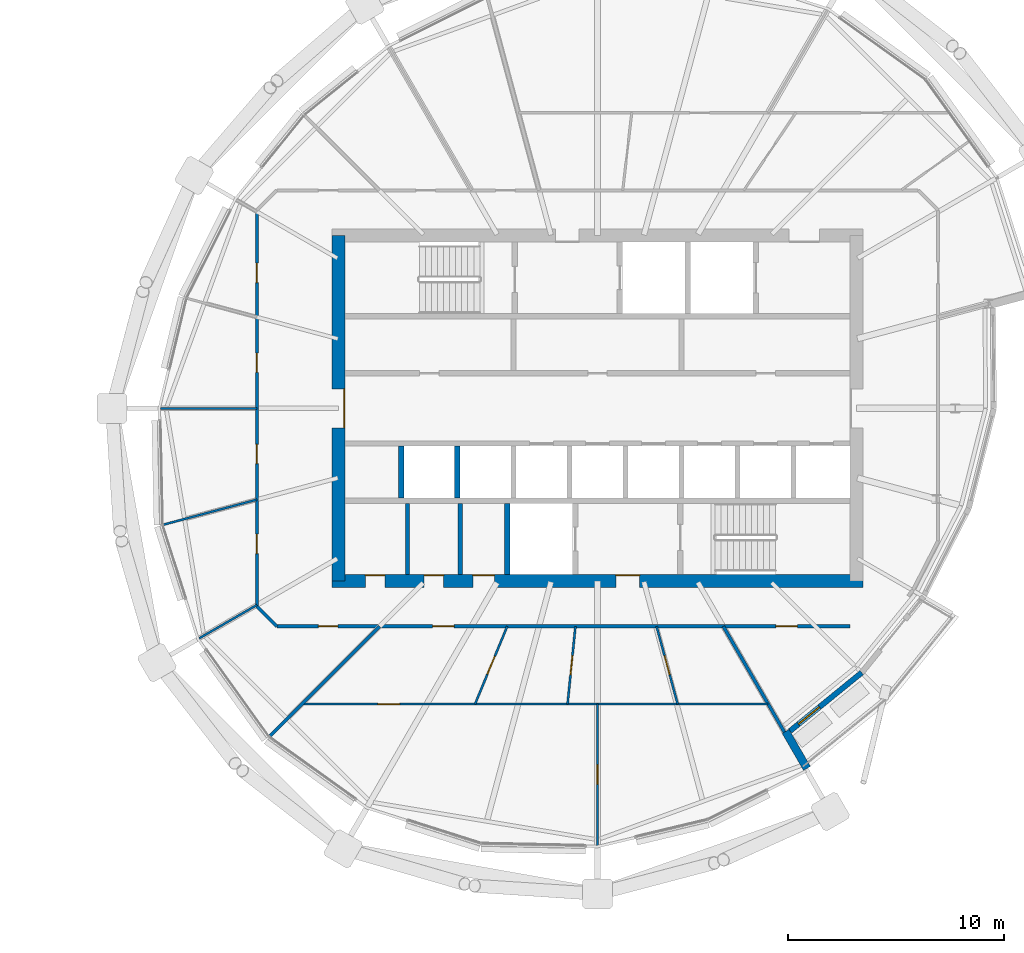
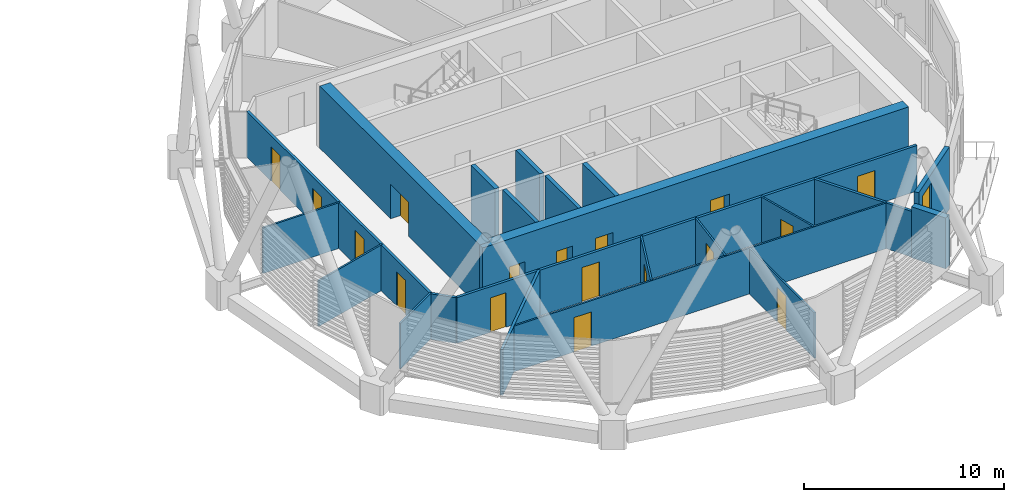
# One storey, part 25 of 36: 23 walls, 17 doors, 1 window, 18 openings.
"""IFC4 building model written with IfcOpenShell, lengths in metres."""

from ifc_helpers import new_model, si_unit, direction, frame, frame_2d, origin, place, context, subcontext, project, spatial, rectangle, extrude, material, layer, layer_set, type_object, element, fill, save


model = new_model("IFC4")

# Units and contexts
model_context = context("Model", 3, precision=1e-05, world=origin(), true_north=direction((0.0, 1.0)))
body_context = subcontext(model_context, "Body", "Model", "MODEL_VIEW")
ifc_project = project(units=[si_unit("LENGTHUNIT", "METRE"), si_unit("AREAUNIT", "SQUARE_METRE"), si_unit("VOLUMEUNIT", "CUBIC_METRE"), si_unit("PLANEANGLEUNIT", "RADIAN"), si_unit("MASSUNIT", "GRAM", prefix="KILO")], contexts=[model_context])

# Site, building, storey
site_placement = place(None, origin())
site = spatial("IfcSite", under=ifc_project, at=site_placement, CompositionType="ELEMENT")
building_placement = place(site_placement, origin())
building = spatial("IfcBuilding", under=site, at=building_placement, Name="Rimbun Link Towers", CompositionType="ELEMENT")
storey_placement = place(building_placement, frame((0.0, 0.0, 193.10009765625)))
storey = spatial("IfcBuildingStorey", under=building, at=storey_placement, Name="L47", CompositionType="ELEMENT", Elevation=193.10009765625)

# Wall, opening, window
ifc_material_1 = material(Name="Dark enamelled glass spandrel on insulated aluminium backpan", Category="aluminium")
ifc_layer_1 = layer(ifc_material_1, 0.25)
ifc_layer_set_1 = layer_set([ifc_layer_1], Name="CS dark enamelled spandrel wall 250")
wall_type_1 = type_object("IfcWallType", Name="CS dark enamelled spandrel wall 250", PredefinedType="STANDARD", material=ifc_layer_set_1)
wall_1_placement = place(storey_placement, frame((43.988037109375, -12.238037109375, 0.0), z_axis=(0.0, 0.0, 1.0), x_axis=(-0.775356930416, -0.631523262007, 0.0)))
wall_1 = element("IfcWall", 1, at=wall_1_placement, inside=storey, type_object=wall_type_1, Name="Crease spandrel wall", PredefinedType="STANDARD", context=body_context, shape_type="SweptSolid", body=[
    extrude(rectangle(XDim=4.2841796875, YDim=0.25, at=frame_2d((2.14208984375, 0.0))), origin(), (0.0, 0.0, 1.0), 3.7998046875),
])
opening_1_placement = place(wall_1_placement, frame((2.525390625, 0.0, 0.300048828125)))
opening_1 = element("IfcOpeningElement", 2, at=opening_1_placement, cuts=wall_1, Name="Opening WR12H295", PredefinedType="OPENING", context=body_context, shape_type="SweptSolid", body=[
    extrude(rectangle(XDim=1.25, YDim=2.949951171875, at=frame_2d((0.625, 1.47509765625))), frame((0.0, 0.135009765625, 0.0), z_axis=(0.0, -1.0, 0.0), x_axis=(1.0, 0.0, 0.0)), (0.0, 0.0, 1.0), 0.27001953125),
])
ifc_material_2 = material(Name="Aluminium framed fixed window, dark tinted low-e glass", Category="aluminium")
window_type = type_object("IfcWindowType", Name="WR ribbon window 1250X2950", PartitioningType="SINGLE_PANEL", PredefinedType="WINDOW", material=ifc_material_2)
window_placement = place(opening_1_placement, origin())
window = element("IfcWindow", 3, at=window_placement, inside=storey, type_object=window_type, Name="Crease ribbon window", OverallHeight=2.949951171875, OverallWidth=1.25, PartitioningType="SINGLE_PANEL", PredefinedType="WINDOW", context=body_context, shape_type="SweptSolid", body=[
    extrude(rectangle(XDim=1.25, YDim=2.949951171875, at=frame_2d((0.625, 1.47509765625))), frame((0.0, 0.030029296875, 0.0), z_axis=(0.0, -1.0, 0.0), x_axis=(1.0, 0.0, 0.0)), (0.0, 0.0, 1.0), 0.06005859375),
])
fill(opening_1, window)

# Walls
ifc_material_3 = material(Name="Dark enamelled glass spandrel on insulated aluminium backpan", Category="aluminium")
ifc_layer_2 = layer(ifc_material_3, 0.3701171875)
ifc_layer_set_2 = layer_set([ifc_layer_2], Name="CS dark enamelled spandrel wall 370")
wall_type_2 = type_object("IfcWallType", Name="CS dark enamelled spandrel wall 370", PredefinedType="STANDARD", material=ifc_layer_set_2)
wall_2_placement = place(storey_placement, frame((40.462890625, -14.961181640625, 0.0), z_axis=(0.0, 0.0, 1.0), x_axis=(0.499971491109, -0.866041862775, 0.0)))
element("IfcWall", 4, at=wall_2_placement, inside=storey, type_object=wall_type_2, Name="Crease spandrel wall", PredefinedType="STANDARD", context=body_context, shape_type="SweptSolid", body=[
    extrude(rectangle(XDim=1.97998046875, YDim=0.3701171875, at=frame_2d((0.989990234375, 0.0))), origin(), (0.0, 0.0, 1.0), 3.10693359375),
])
ifc_material_4 = material(Name="Masonry blockwork", Category="masonry")
ifc_layer_3 = layer(ifc_material_4, 0.199951171875)
ifc_layer_set_3 = layer_set([ifc_layer_3], Name="Core partition 200")
wall_type_3 = type_object("IfcWallType", Name="Core partition 200", PredefinedType="PARTITIONING", material=ifc_layer_set_3)
for number, where, z_axis, x_axis, name in (
    (5, (22.949951171875, -4.39990234375, 0.0), (0.0, 0.0, 1.0), (0.0, -1.0, 0.0), "L47 T2 core wall C1"),
    (6, (25.39990234375, -4.39990234375, 0.0), (0.0, 0.0, 1.0), (0.0, -1.0, 0.0), "L47 T2 core wall C2"),
):
    element("IfcWall", number, at=place(storey_placement, frame(where, z_axis=z_axis, x_axis=x_axis)), inside=storey, type_object=wall_type_3, Name=name, PredefinedType="PARTITIONING", context=body_context, shape_type="SweptSolid", body=[
        extrude(rectangle(XDim=3.300048828125, YDim=0.199951171875, at=frame_2d((1.64990234375, 0.0))), origin(), (0.0, 0.0, 1.0), 3.7998046875),
    ])

# Wall, openings, doors
ifc_material_5 = material(Name="Concrete C60/75", Category="concrete")
ifc_layer_4 = layer(ifc_material_5, 0.60009765625)
ifc_layer_set_4 = layer_set([ifc_layer_4], Name="Core shear wall 600")
wall_type_4 = type_object("IfcWallType", Name="Core shear wall 600", PredefinedType="SHEAR", material=ifc_layer_set_4)
wall_3_placement = place(storey_placement, frame((19.449951171875, -8.0, 0.0), z_axis=(0.0, 0.0, 1.0), x_axis=(1.0, 0.0, 0.0)))
wall_3 = element("IfcWall", 7, at=wall_3_placement, inside=storey, type_object=wall_type_4, Name="L47 T2 core wall S", PredefinedType="SHEAR", context=body_context, shape_type="SweptSolid", body=[
    extrude(rectangle(XDim=24.60009765625, YDim=0.60009765625, at=frame_2d((12.300048828125, 0.0))), origin(), (0.0, 0.0, 1.0), 3.7998046875),
])
opening_2_placement = place(wall_3_placement, frame((13.14990234375, 0.0, 0.0)))
opening_2 = element("IfcOpeningElement", 8, at=opening_2_placement, cuts=wall_3, Name="Opening C2DCF01S", PredefinedType="OPENING", context=body_context, shape_type="SweptSolid", body=[
    extrude(rectangle(XDim=1.10009765625, YDim=2.10009765625, at=frame_2d((0.550048828125, 1.050048828125))), frame((0.0, 0.31005859375, 0.0), z_axis=(0.0, -1.0, 0.0), x_axis=(1.0, 0.0, 0.0)), (0.0, 0.0, 1.0), 0.6201171875),
])
opening_3_placement = place(wall_3_placement, frame((1.550048828125, 0.0, 0.0)))
opening_3 = element("IfcOpeningElement", 9, at=opening_3_placement, cuts=wall_3, Name="Opening C2DWC02S", PredefinedType="OPENING", context=body_context, shape_type="SweptSolid", body=[
    extrude(rectangle(XDim=0.89990234375, YDim=2.10009765625, at=frame_2d((0.449951171875, 1.050048828125))), frame((0.0, 0.31005859375, 0.0), z_axis=(0.0, -1.0, 0.0), x_axis=(1.0, 0.0, 0.0)), (0.0, 0.0, 1.0), 0.6201171875),
])
opening_4_placement = place(wall_3_placement, frame((4.27490234375, 0.0, 0.0)))
opening_4 = element("IfcOpeningElement", 10, at=opening_4_placement, cuts=wall_3, Name="Opening C2DWC03S", PredefinedType="OPENING", context=body_context, shape_type="SweptSolid", body=[
    extrude(rectangle(XDim=0.89990234375, YDim=2.10009765625, at=frame_2d((0.449951171875, 1.050048828125))), frame((0.0, 0.31005859375, 0.0), z_axis=(0.0, -1.0, 0.0), x_axis=(1.0, 0.0, 0.0)), (0.0, 0.0, 1.0), 0.6201171875),
])
opening_5_placement = place(wall_3_placement, frame((6.52490234375, 0.0, 0.0)))
opening_5 = element("IfcOpeningElement", 11, at=opening_5_placement, cuts=wall_3, Name="Opening C2DAW04S", PredefinedType="OPENING", context=body_context, shape_type="SweptSolid", body=[
    extrude(rectangle(XDim=1.0, YDim=2.10009765625, at=frame_2d((0.5, 1.050048828125))), frame((0.0, 0.31005859375, 0.0), z_axis=(0.0, -1.0, 0.0), x_axis=(1.0, 0.0, 0.0)), (0.0, 0.0, 1.0), 0.6201171875),
])
ifc_material_6 = material(Name="Timber", Category="wood")
door_type_1 = type_object("IfcDoorType", Name="Accessible WC door", OperationType="SINGLE_SWING_LEFT", PredefinedType="DOOR", material=ifc_material_6)
door_1_placement = place(opening_5_placement, origin())
door_1 = element("IfcDoor", 12, at=door_1_placement, inside=storey, type_object=door_type_1, Name="L47 T2 accessible wc door", OperationType="SINGLE_SWING_RIGHT", OverallHeight=2.10009765625, OverallWidth=1.0, PredefinedType="DOOR", context=body_context, shape_type="SweptSolid", body=[
    extrude(rectangle(XDim=1.0, YDim=2.10009765625, at=frame_2d((0.5, 1.050048828125))), frame((0.0, 0.2998046875, 0.0), z_axis=(0.0, -1.0, 0.0), x_axis=(1.0, 0.0, 0.0)), (0.0, 0.0, 1.0), 0.050048828125),
])
fill(opening_5, door_1)
ifc_material_7 = material(Name="Steel fire door set", Category="steel")
door_type_2 = type_object("IfcDoorType", Name="Core fire door single", OperationType="SINGLE_SWING_LEFT", PredefinedType="DOOR", material=ifc_material_7)
door_2_placement = place(opening_2_placement, origin())
door_2 = element("IfcDoor", 13, at=door_2_placement, inside=storey, type_object=door_type_2, Name="L47 T2 firefighting lobby s door", OperationType="SINGLE_SWING_RIGHT", OverallHeight=2.10009765625, OverallWidth=1.10009765625, PredefinedType="DOOR", context=body_context, shape_type="SweptSolid", body=[
    extrude(rectangle(XDim=1.10009765625, YDim=2.10009765625, at=frame_2d((0.550048828125, 1.050048828125))), frame((0.0, 0.2998046875, 0.0), z_axis=(0.0, -1.0, 0.0), x_axis=(1.0, 0.0, 0.0)), (0.0, 0.0, 1.0), 0.050048828125),
])
fill(opening_2, door_2)
ifc_material_8 = material(Name="Timber", Category="wood")
door_type_3 = type_object("IfcDoorType", Name="WC door", OperationType="SINGLE_SWING_LEFT", PredefinedType="DOOR", material=ifc_material_8)
door_3_placement = place(opening_3_placement, origin())
door_3 = element("IfcDoor", 14, at=door_3_placement, inside=storey, type_object=door_type_3, Name="L47 T2 male wc door", OperationType="SINGLE_SWING_LEFT", OverallHeight=2.10009765625, OverallWidth=0.89990234375, PredefinedType="DOOR", context=body_context, shape_type="SweptSolid", body=[
    extrude(rectangle(XDim=0.89990234375, YDim=2.10009765625, at=frame_2d((0.449951171875, 1.050048828125))), frame((0.0, 0.2998046875, 0.0), z_axis=(0.0, -1.0, 0.0), x_axis=(1.0, 0.0, 0.0)), (0.0, 0.0, 1.0), 0.050048828125),
])
fill(opening_3, door_3)
door_4_placement = place(opening_4_placement, origin())
door_4 = element("IfcDoor", 15, at=door_4_placement, inside=storey, type_object=door_type_3, Name="L47 T2 female wc door", OperationType="SINGLE_SWING_RIGHT", OverallHeight=2.10009765625, OverallWidth=0.89990234375, PredefinedType="DOOR", context=body_context, shape_type="SweptSolid", body=[
    extrude(rectangle(XDim=0.89990234375, YDim=2.10009765625, at=frame_2d((0.449951171875, 1.050048828125))), frame((0.0, 0.2998046875, 0.0), z_axis=(0.0, -1.0, 0.0), x_axis=(1.0, 0.0, 0.0)), (0.0, 0.0, 1.0), 0.050048828125),
])
fill(opening_4, door_4)

# Wall, opening, door
wall_4_placement = place(storey_placement, frame((19.75, -8.0, 0.0), z_axis=(0.0, 0.0, 1.0), x_axis=(0.0, 1.0, 0.0)))
wall_4 = element("IfcWall", 16, at=wall_4_placement, inside=storey, type_object=wall_type_4, Name="L47 T2 core wall W", PredefinedType="SHEAR", context=body_context, shape_type="SweptSolid", body=[
    extrude(rectangle(XDim=16.0, YDim=0.60009765625, at=frame_2d((8.0, 0.0))), origin(), (0.0, 0.0, 1.0), 3.7998046875),
])
opening_6_placement = place(wall_4_placement, frame((7.10009765625, 0.0, 0.0)))
opening_6 = element("IfcOpeningElement", 17, at=opening_6_placement, cuts=wall_4, Name="Opening C2DCL01W", PredefinedType="OPENING", context=body_context, shape_type="SweptSolid", body=[
    extrude(rectangle(XDim=1.800048828125, YDim=2.10009765625, at=frame_2d((0.89990234375, 1.050048828125))), frame((0.0, 0.31005859375, 0.0), z_axis=(0.0, -1.0, 0.0), x_axis=(1.0, 0.0, 0.0)), (0.0, 0.0, 1.0), 0.6201171875),
])
ifc_material_9 = material(Name="Steel fire door set", Category="steel")
door_type_4 = type_object("IfcDoorType", Name="Core lobby door double", OperationType="DOUBLE_DOOR_SINGLE_SWING", PredefinedType="DOOR", material=ifc_material_9)
door_5_placement = place(opening_6_placement, origin())
door_5 = element("IfcDoor", 18, at=door_5_placement, inside=storey, type_object=door_type_4, Name="L47 T2 lift lobby door", OperationType="DOUBLE_DOOR_SINGLE_SWING", OverallHeight=2.10009765625, OverallWidth=1.800048828125, PredefinedType="DOOR", context=body_context, shape_type="SweptSolid", body=[
    extrude(rectangle(XDim=1.800048828125, YDim=2.10009765625, at=frame_2d((0.89990234375, 1.050048828125))), frame((0.0, -0.25, 0.0), z_axis=(0.0, -1.0, 0.0), x_axis=(1.0, 0.0, 0.0)), (0.0, 0.0, 1.0), 0.050048828125),
])
fill(opening_6, door_5)

# Wall, openings, doors
ifc_material_10 = material(Name="Plasterboard on steel stud, mineral wool", Category="steel")
ifc_layer_5 = layer(ifc_material_10, 0.14990234375)
ifc_layer_set_5 = layer_set([ifc_layer_5], Name="Corridor wall EI 30 150 mm")
wall_type_5 = type_object("IfcWallType", Name="Corridor wall EI 30 150 mm", PredefinedType="PARTITIONING", material=ifc_layer_set_5)
wall_5_placement = place(storey_placement, frame((43.44873046875, -10.094970703125, 0.0), z_axis=(0.0, 0.0, 1.0), x_axis=(-1.0, 0.0, 0.0)))
wall_5 = element("IfcWall", 19, at=wall_5_placement, inside=storey, type_object=wall_type_5, Name="Corridor wall EI 30 150 mm", PredefinedType="PARTITIONING", context=body_context, shape_type="SweptSolid", body=[
    extrude(rectangle(XDim=26.552490234375, YDim=0.14990234375, at=frame_2d((13.2763671875, 0.0))), origin(), (0.0, 0.0, 1.0), 2.788818359375),
])
opening_7_placement = place(wall_5_placement, frame((23.72314453125, 0.0, 0.0)))
opening_7 = element("IfcOpeningElement", 20, at=opening_7_placement, cuts=wall_5, Name="Opening D02", PredefinedType="OPENING", context=body_context, shape_type="SweptSolid", body=[
    extrude(rectangle(XDim=0.89990234375, YDim=2.10009765625, at=frame_2d((0.449951171875, 1.050048828125))), frame((0.0, 0.0849609375, 0.0), z_axis=(0.0, -1.0, 0.0), x_axis=(1.0, 0.0, 0.0)), (0.0, 0.0, 1.0), 0.169921875),
])
opening_8_placement = place(wall_5_placement, frame((18.336181640625, 0.0, 0.0)))
opening_8 = element("IfcOpeningElement", 21, at=opening_8_placement, cuts=wall_5, Name="Opening D01", PredefinedType="OPENING", context=body_context, shape_type="SweptSolid", body=[
    extrude(rectangle(XDim=1.0, YDim=2.10009765625, at=frame_2d((0.5, 1.050048828125))), frame((0.0, 0.0849609375, 0.0), z_axis=(0.0, -1.0, 0.0), x_axis=(1.0, 0.0, 0.0)), (0.0, 0.0, 1.0), 0.169921875),
])
opening_9_placement = place(wall_5_placement, frame((2.435302734375, 0.0, 0.0)))
opening_9 = element("IfcOpeningElement", 22, at=opening_9_placement, cuts=wall_5, Name="Opening D01", PredefinedType="OPENING", context=body_context, shape_type="SweptSolid", body=[
    extrude(rectangle(XDim=1.0, YDim=2.10009765625, at=frame_2d((0.5, 1.050048828125))), frame((0.0, 0.0849609375, 0.0), z_axis=(0.0, -1.0, 0.0), x_axis=(1.0, 0.0, 0.0)), (0.0, 0.0, 1.0), 0.169921875),
])
ifc_material_11 = material(Name="Fire-resisting timber door leaf", Category="wood")
door_type_5 = type_object("IfcDoorType", Name="Fire door FD30S 1000", OperationType="NOTDEFINED", PredefinedType="DOOR", material=ifc_material_11)
door_6_placement = place(opening_8_placement, origin())
door_6 = element("IfcDoor", 23, at=door_6_placement, inside=storey, type_object=door_type_5, Name="Fire door FD30S 1000 to Tenant lobby", OperationType="SINGLE_SWING_RIGHT", OverallHeight=2.10009765625, OverallWidth=1.0, PredefinedType="DOOR", context=body_context, shape_type="SweptSolid", body=[
    extrude(rectangle(XDim=1.0, YDim=2.10009765625, at=frame_2d((0.5, 1.050048828125))), frame((0.0, 0.02490234375, 0.0), z_axis=(0.0, -1.0, 0.0), x_axis=(1.0, 0.0, 0.0)), (0.0, 0.0, 1.0), 0.050048828125),
])
fill(opening_8, door_6)
door_7_placement = place(opening_9_placement, origin())
door_7 = element("IfcDoor", 24, at=door_7_placement, inside=storey, type_object=door_type_5, Name="Fire door FD30S 1000 to Terrace office", OperationType="SINGLE_SWING_LEFT", OverallHeight=2.10009765625, OverallWidth=1.0, PredefinedType="DOOR", context=body_context, shape_type="SweptSolid", body=[
    extrude(rectangle(XDim=1.0, YDim=2.10009765625, at=frame_2d((0.5, 1.050048828125))), frame((0.0, 0.02490234375, 0.0), z_axis=(0.0, -1.0, 0.0), x_axis=(1.0, 0.0, 0.0)), (0.0, 0.0, 1.0), 0.050048828125),
])
fill(opening_9, door_7)
ifc_material_12 = material(Name="Fire-resisting timber door leaf", Category="wood")
door_type_6 = type_object("IfcDoorType", Name="Fire door FD30S 900", OperationType="NOTDEFINED", PredefinedType="DOOR", material=ifc_material_12)
door_8_placement = place(opening_7_placement, origin())
door_8 = element("IfcDoor", 25, at=door_8_placement, inside=storey, type_object=door_type_6, Name="Fire door FD30S 900 to Trading floor", OperationType="SINGLE_SWING_LEFT", OverallHeight=2.10009765625, OverallWidth=0.89990234375, PredefinedType="DOOR", context=body_context, shape_type="SweptSolid", body=[
    extrude(rectangle(XDim=0.89990234375, YDim=2.10009765625, at=frame_2d((0.449951171875, 1.050048828125))), frame((0.0, 0.02490234375, 0.0), z_axis=(0.0, -1.0, 0.0), x_axis=(1.0, 0.0, 0.0)), (0.0, 0.0, 1.0), 0.050048828125),
])
fill(opening_7, door_8)

# Wall
wall_6_placement = place(storey_placement, frame((15.97509765625, -9.173583984375, 0.0), z_axis=(0.0, 0.0, 1.0), x_axis=(0.707013081223, -0.707200468735, 0.0)))
element("IfcWall", 26, at=wall_6_placement, inside=storey, type_object=wall_type_5, Name="Corridor wall EI 30 150 mm", PredefinedType="PARTITIONING", context=body_context, shape_type="SweptSolid", body=[
    extrude(rectangle(XDim=1.302978515625, YDim=0.14990234375, at=frame_2d((0.6513671875, 0.0))), origin(), (0.0, 0.0, 1.0), 2.788818359375),
])

# Wall, openings, doors
wall_7_placement = place(storey_placement, frame((15.97509765625, -9.173583984375, 0.0), z_axis=(0.0, 0.0, 1.0), x_axis=(0.0, 1.0, 0.0)))
wall_7 = element("IfcWall", 27, at=wall_7_placement, inside=storey, type_object=wall_type_5, Name="Corridor wall EI 30 150 mm", PredefinedType="PARTITIONING", context=body_context, shape_type="SweptSolid", body=[
    extrude(rectangle(XDim=18.34716796875, YDim=0.14990234375, at=frame_2d((9.173583984375, 0.0))), origin(), (0.0, 0.0, 1.0), 2.788818359375),
])
opening_10_placement = place(wall_7_placement, frame((15.002197265625, 0.0, 0.0)))
opening_10 = element("IfcOpeningElement", 28, at=opening_10_placement, cuts=wall_7, Name="Opening D02", PredefinedType="OPENING", context=body_context, shape_type="SweptSolid", body=[
    extrude(rectangle(XDim=0.89990234375, YDim=2.10009765625, at=frame_2d((0.449951171875, 1.050048828125))), frame((0.0, 0.0849609375, 0.0), z_axis=(0.0, -1.0, 0.0), x_axis=(1.0, 0.0, 0.0)), (0.0, 0.0, 1.0), 0.169921875),
])
opening_11_placement = place(wall_7_placement, frame((10.837158203125, 0.0, 0.0)))
opening_11 = element("IfcOpeningElement", 29, at=opening_11_placement, cuts=wall_7, Name="Opening D02", PredefinedType="OPENING", context=body_context, shape_type="SweptSolid", body=[
    extrude(rectangle(XDim=0.89990234375, YDim=2.10009765625, at=frame_2d((0.449951171875, 1.050048828125))), frame((0.0, 0.0849609375, 0.0), z_axis=(0.0, -1.0, 0.0), x_axis=(1.0, 0.0, 0.0)), (0.0, 0.0, 1.0), 0.169921875),
])
opening_12_placement = place(wall_7_placement, frame((6.6103515625, 0.0, 0.0)))
opening_12 = element("IfcOpeningElement", 30, at=opening_12_placement, cuts=wall_7, Name="Opening D02", PredefinedType="OPENING", context=body_context, shape_type="SweptSolid", body=[
    extrude(rectangle(XDim=0.89990234375, YDim=2.10009765625, at=frame_2d((0.449951171875, 1.050048828125))), frame((0.0, 0.0849609375, 0.0), z_axis=(0.0, -1.0, 0.0), x_axis=(1.0, 0.0, 0.0)), (0.0, 0.0, 1.0), 0.169921875),
])
opening_13_placement = place(wall_7_placement, frame((2.4453125, 0.0, 0.0)))
opening_13 = element("IfcOpeningElement", 31, at=opening_13_placement, cuts=wall_7, Name="Opening D02", PredefinedType="OPENING", context=body_context, shape_type="SweptSolid", body=[
    extrude(rectangle(XDim=0.89990234375, YDim=2.10009765625, at=frame_2d((0.449951171875, 1.050048828125))), frame((0.0, 0.0849609375, 0.0), z_axis=(0.0, -1.0, 0.0), x_axis=(1.0, 0.0, 0.0)), (0.0, 0.0, 1.0), 0.169921875),
])
door_9_placement = place(opening_10_placement, origin())
door_9 = element("IfcDoor", 32, at=door_9_placement, inside=storey, type_object=door_type_6, Name="Fire door FD30S 900 to Communications room", OperationType="SINGLE_SWING_LEFT", OverallHeight=2.10009765625, OverallWidth=0.89990234375, PredefinedType="DOOR", context=body_context, shape_type="SweptSolid", body=[
    extrude(rectangle(XDim=0.89990234375, YDim=2.10009765625, at=frame_2d((0.449951171875, 1.050048828125))), frame((0.0, 0.02490234375, 0.0), z_axis=(0.0, -1.0, 0.0), x_axis=(1.0, 0.0, 0.0)), (0.0, 0.0, 1.0), 0.050048828125),
])
fill(opening_10, door_9)
door_10_placement = place(opening_11_placement, origin())
door_10 = element("IfcDoor", 33, at=door_10_placement, inside=storey, type_object=door_type_6, Name="Fire door FD30S 900 to Trading floor", OperationType="SINGLE_SWING_RIGHT", OverallHeight=2.10009765625, OverallWidth=0.89990234375, PredefinedType="DOOR", context=body_context, shape_type="SweptSolid", body=[
    extrude(rectangle(XDim=0.89990234375, YDim=2.10009765625, at=frame_2d((0.449951171875, 1.050048828125))), frame((0.0, 0.02490234375, 0.0), z_axis=(0.0, -1.0, 0.0), x_axis=(1.0, 0.0, 0.0)), (0.0, 0.0, 1.0), 0.050048828125),
])
fill(opening_11, door_10)
door_11_placement = place(opening_12_placement, origin())
door_11 = element("IfcDoor", 34, at=door_11_placement, inside=storey, type_object=door_type_6, Name="Fire door FD30S 900 to Data room", OperationType="SINGLE_SWING_LEFT", OverallHeight=2.10009765625, OverallWidth=0.89990234375, PredefinedType="DOOR", context=body_context, shape_type="SweptSolid", body=[
    extrude(rectangle(XDim=0.89990234375, YDim=2.10009765625, at=frame_2d((0.449951171875, 1.050048828125))), frame((0.0, 0.02490234375, 0.0), z_axis=(0.0, -1.0, 0.0), x_axis=(1.0, 0.0, 0.0)), (0.0, 0.0, 1.0), 0.050048828125),
])
fill(opening_12, door_11)
door_12_placement = place(opening_13_placement, origin())
door_12 = element("IfcDoor", 35, at=door_12_placement, inside=storey, type_object=door_type_6, Name="Fire door FD30S 900 to Communications room", OperationType="SINGLE_SWING_RIGHT", OverallHeight=2.10009765625, OverallWidth=0.89990234375, PredefinedType="DOOR", context=body_context, shape_type="SweptSolid", body=[
    extrude(rectangle(XDim=0.89990234375, YDim=2.10009765625, at=frame_2d((0.449951171875, 1.050048828125))), frame((0.0, 0.02490234375, 0.0), z_axis=(0.0, -1.0, 0.0), x_axis=(1.0, 0.0, 0.0)), (0.0, 0.0, 1.0), 0.050048828125),
])
fill(opening_13, door_12)

# Walls
ifc_material_13 = material(Name="Plasterboard on steel stud", Category="steel")
ifc_layer_6 = layer(ifc_material_13, 0.10009765625)
ifc_layer_set_6 = layer_set([ifc_layer_6], Name="Plasterboard partition 100 mm")
wall_type_6 = type_object("IfcWallType", Name="Plasterboard partition 100 mm", PredefinedType="PARTITIONING", material=ifc_layer_set_6)
wall_8_placement = place(storey_placement, frame((11.514892578125, 0.0, 0.0), z_axis=(0.0, 0.0, 1.0), x_axis=(1.0, 0.0, 0.0)))
element("IfcWall", 36, at=wall_8_placement, inside=storey, type_object=wall_type_6, Name="Plasterboard partition 100 mm", PredefinedType="PARTITIONING", context=body_context, shape_type="SweptSolid", body=[
    extrude(rectangle(XDim=4.460205078125, YDim=0.10009765625, at=frame_2d((2.22998046875, 0.0))), origin(), (0.0, 0.0, 1.0), 2.788818359375),
])
wall_9_placement = place(storey_placement, frame((11.62841796875, -5.3916015625, 0.0), z_axis=(0.0, 0.0, 1.0), x_axis=(0.965919958881, 0.258840941576, 0.0)))
element("IfcWall", 37, at=wall_9_placement, inside=storey, type_object=wall_type_6, Name="Plasterboard partition 100 mm", PredefinedType="PARTITIONING", context=body_context, shape_type="SweptSolid", body=[
    extrude(rectangle(XDim=4.5, YDim=0.10009765625, at=frame_2d((2.25, 0.0))), origin(), (0.0, 0.0, 1.0), 2.788818359375),
])
wall_10_placement = place(storey_placement, frame((13.30126953125, -10.6513671875, 0.0), z_axis=(0.0, 0.0, 1.0), x_axis=(0.866030202489, 0.499991688307, 0.0)))
element("IfcWall", 38, at=wall_10_placement, inside=storey, type_object=wall_type_6, Name="Plasterboard partition 100 mm", PredefinedType="PARTITIONING", context=body_context, shape_type="SweptSolid", body=[
    extrude(rectangle(XDim=3.08740234375, YDim=0.10009765625, at=frame_2d((1.543701171875, 0.0))), origin(), (0.0, 0.0, 1.0), 2.788818359375),
])

# Wall, opening, door
wall_11_placement = place(storey_placement, frame((27.570068359375, -10.094970703125, 0.0), z_axis=(0.0, 0.0, 1.0), x_axis=(-0.382576833691, -0.923923679923, 0.0)))
wall_11 = element("IfcWall", 39, at=wall_11_placement, inside=storey, type_object=wall_type_6, Name="Plasterboard partition 100 mm", PredefinedType="PARTITIONING", context=body_context, shape_type="SweptSolid", body=[
    extrude(rectangle(XDim=3.896484375, YDim=0.10009765625, at=frame_2d((1.9482421875, 0.0))), origin(), (0.0, 0.0, 1.0), 2.788818359375),
])
opening_14_placement = place(wall_11_placement, frame((1.498291015625, 0.0, 0.0)))
opening_14 = element("IfcOpeningElement", 40, at=opening_14_placement, cuts=wall_11, Name="Opening D04", PredefinedType="OPENING", context=body_context, shape_type="SweptSolid", body=[
    extrude(rectangle(XDim=0.89990234375, YDim=2.10009765625, at=frame_2d((0.449951171875, 1.050048828125))), frame((0.0, 0.06005859375, 0.0), z_axis=(0.0, -1.0, 0.0), x_axis=(1.0, 0.0, 0.0)), (0.0, 0.0, 1.0), 0.1201171875),
])
ifc_material_14 = material(Name="Timber door leaf", Category="wood")
door_type_7 = type_object("IfcDoorType", Name="Flush door 900", OperationType="NOTDEFINED", PredefinedType="DOOR", material=ifc_material_14)
door_13_placement = place(opening_14_placement, origin())
door_13 = element("IfcDoor", 41, at=door_13_placement, inside=storey, type_object=door_type_7, Name="Flush door 900 to Huddle room", OperationType="SINGLE_SWING_LEFT", OverallHeight=2.10009765625, OverallWidth=0.89990234375, PredefinedType="DOOR", context=body_context, shape_type="SweptSolid", body=[
    extrude(rectangle(XDim=0.89990234375, YDim=2.10009765625, at=frame_2d((0.449951171875, 1.050048828125))), frame((0.0, 0.02490234375, 0.0), z_axis=(0.0, -1.0, 0.0), x_axis=(1.0, 0.0, 0.0)), (0.0, 0.0, 1.0), 0.050048828125),
])
fill(opening_14, door_13)

wall_12_placement = place(storey_placement, frame((31.75, -13.695068359375, 0.0), z_axis=(0.0, 0.0, 1.0), x_axis=(-1.0, 0.0, 0.0)))
wall_12 = element("IfcWall", 42, at=wall_12_placement, inside=storey, type_object=wall_type_6, Name="Plasterboard partition 100 mm", PredefinedType="PARTITIONING", context=body_context, shape_type="SweptSolid", body=[
    extrude(rectangle(XDim=13.695068359375, YDim=0.10009765625, at=frame_2d((6.84765625, 0.0))), origin(), (0.0, 0.0, 1.0), 2.788818359375),
])
opening_15_placement = place(wall_12_placement, frame((9.16650390625, 0.0, 0.0)))
opening_15 = element("IfcOpeningElement", 43, at=opening_15_placement, cuts=wall_12, Name="Opening D03", PredefinedType="OPENING", context=body_context, shape_type="SweptSolid", body=[
    extrude(rectangle(XDim=1.0, YDim=2.10009765625, at=frame_2d((0.5, 1.050048828125))), frame((0.0, 0.06005859375, 0.0), z_axis=(0.0, -1.0, 0.0), x_axis=(1.0, 0.0, 0.0)), (0.0, 0.0, 1.0), 0.1201171875),
])
ifc_material_15 = material(Name="Timber door leaf", Category="wood")
door_type_8 = type_object("IfcDoorType", Name="Flush door 1000", OperationType="NOTDEFINED", PredefinedType="DOOR", material=ifc_material_15)
door_14_placement = place(opening_15_placement, origin())
door_14 = element("IfcDoor", 44, at=door_14_placement, inside=storey, type_object=door_type_8, Name="Flush door 1000 to Open office", OperationType="SINGLE_SWING_RIGHT", OverallHeight=2.10009765625, OverallWidth=1.0, PredefinedType="DOOR", context=body_context, shape_type="SweptSolid", body=[
    extrude(rectangle(XDim=1.0, YDim=2.10009765625, at=frame_2d((0.5, 1.050048828125))), frame((0.0, 0.02490234375, 0.0), z_axis=(0.0, -1.0, 0.0), x_axis=(1.0, 0.0, 0.0)), (0.0, 0.0, 1.0), 0.050048828125),
])
fill(opening_15, door_14)

wall_13_placement = place(storey_placement, frame((30.728759765625, -10.094970703125, 0.0), z_axis=(0.0, 0.0, 1.0), x_axis=(-0.100666014528, -0.994920274956, 0.0)))
wall_13 = element("IfcWall", 45, at=wall_13_placement, inside=storey, type_object=wall_type_6, Name="Plasterboard partition 100 mm", PredefinedType="PARTITIONING", context=body_context, shape_type="SweptSolid", body=[
    extrude(rectangle(XDim=3.618408203125, YDim=0.10009765625, at=frame_2d((1.80908203125, 0.0))), origin(), (0.0, 0.0, 1.0), 2.788818359375),
])
opening_16_placement = place(wall_13_placement, frame((1.359130859375, 0.0, 0.0)))
opening_16 = element("IfcOpeningElement", 46, at=opening_16_placement, cuts=wall_13, Name="Opening D04", PredefinedType="OPENING", context=body_context, shape_type="SweptSolid", body=[
    extrude(rectangle(XDim=0.89990234375, YDim=2.10009765625, at=frame_2d((0.449951171875, 1.050048828125))), frame((0.0, 0.06005859375, 0.0), z_axis=(0.0, -1.0, 0.0), x_axis=(1.0, 0.0, 0.0)), (0.0, 0.0, 1.0), 0.1201171875),
])
door_15_placement = place(opening_16_placement, origin())
door_15 = element("IfcDoor", 47, at=door_15_placement, inside=storey, type_object=door_type_7, Name="Flush door 900 to Huddle room", OperationType="SINGLE_SWING_RIGHT", OverallHeight=2.10009765625, OverallWidth=0.89990234375, PredefinedType="DOOR", context=body_context, shape_type="SweptSolid", body=[
    extrude(rectangle(XDim=0.89990234375, YDim=2.10009765625, at=frame_2d((0.449951171875, 1.050048828125))), frame((0.0, 0.02490234375, 0.0), z_axis=(0.0, -1.0, 0.0), x_axis=(1.0, 0.0, 0.0)), (0.0, 0.0, 1.0), 0.050048828125),
])
fill(opening_16, door_15)

wall_14_placement = place(storey_placement, frame((34.486572265625, -10.094970703125, 0.0), z_axis=(0.0, 0.0, 1.0), x_axis=(0.261616196564, -0.965171987625, 0.0)))
wall_14 = element("IfcWall", 48, at=wall_14_placement, inside=storey, type_object=wall_type_6, Name="Plasterboard partition 100 mm", PredefinedType="PARTITIONING", context=body_context, shape_type="SweptSolid", body=[
    extrude(rectangle(XDim=3.72998046875, YDim=0.10009765625, at=frame_2d((1.864990234375, 0.0))), origin(), (0.0, 0.0, 1.0), 2.788818359375),
])
opening_17_placement = place(wall_14_placement, frame((1.4150390625, 0.0, 0.0)))
opening_17 = element("IfcOpeningElement", 49, at=opening_17_placement, cuts=wall_14, Name="Opening D04", PredefinedType="OPENING", context=body_context, shape_type="SweptSolid", body=[
    extrude(rectangle(XDim=0.89990234375, YDim=2.10009765625, at=frame_2d((0.449951171875, 1.050048828125))), frame((0.0, 0.06005859375, 0.0), z_axis=(0.0, -1.0, 0.0), x_axis=(1.0, 0.0, 0.0)), (0.0, 0.0, 1.0), 0.1201171875),
])
door_16_placement = place(opening_17_placement, origin())
door_16 = element("IfcDoor", 50, at=door_16_placement, inside=storey, type_object=door_type_7, Name="Flush door 900 to Pantry", OperationType="SINGLE_SWING_LEFT", OverallHeight=2.10009765625, OverallWidth=0.89990234375, PredefinedType="DOOR", context=body_context, shape_type="SweptSolid", body=[
    extrude(rectangle(XDim=0.89990234375, YDim=2.10009765625, at=frame_2d((0.449951171875, 1.050048828125))), frame((0.0, 0.02490234375, 0.0), z_axis=(0.0, -1.0, 0.0), x_axis=(1.0, 0.0, 0.0)), (0.0, 0.0, 1.0), 0.050048828125),
])
fill(opening_17, door_16)

# Wall
wall_15_placement = place(storey_placement, frame((31.75, -13.695068359375, 0.0), z_axis=(0.0, 0.0, 1.0), x_axis=(1.0, 0.0, 0.0)))
element("IfcWall", 51, at=wall_15_placement, inside=storey, type_object=wall_type_6, Name="Plasterboard partition 100 mm", PredefinedType="PARTITIONING", context=body_context, shape_type="SweptSolid", body=[
    extrude(rectangle(XDim=7.906982421875, YDim=0.10009765625, at=frame_2d((3.95361328125, 0.0))), origin(), (0.0, 0.0, 1.0), 2.788818359375),
])

# Wall, opening, door
wall_16_placement = place(storey_placement, frame((31.75, -13.695068359375, 0.0), z_axis=(0.0, 0.0, 1.0), x_axis=(0.0, -1.0, 0.0)))
wall_16 = element("IfcWall", 52, at=wall_16_placement, inside=storey, type_object=wall_type_6, Name="Plasterboard partition 100 mm", PredefinedType="PARTITIONING", context=body_context, shape_type="SweptSolid", body=[
    extrude(rectangle(XDim=6.5400390625, YDim=0.10009765625, at=frame_2d((3.27001953125, 0.0))), origin(), (0.0, 0.0, 1.0), 2.788818359375),
])
opening_18_placement = place(wall_16_placement, frame((2.820068359375, 0.0, 0.0)))
opening_18 = element("IfcOpeningElement", 53, at=opening_18_placement, cuts=wall_16, Name="Opening D04", PredefinedType="OPENING", context=body_context, shape_type="SweptSolid", body=[
    extrude(rectangle(XDim=0.89990234375, YDim=2.10009765625, at=frame_2d((0.449951171875, 1.050048828125))), frame((0.0, 0.06005859375, 0.0), z_axis=(0.0, -1.0, 0.0), x_axis=(1.0, 0.0, 0.0)), (0.0, 0.0, 1.0), 0.1201171875),
])
door_17_placement = place(opening_18_placement, origin())
door_17 = element("IfcDoor", 54, at=door_17_placement, inside=storey, type_object=door_type_7, Name="Flush door 900 to Project room", OperationType="SINGLE_SWING_LEFT", OverallHeight=2.10009765625, OverallWidth=0.89990234375, PredefinedType="DOOR", context=body_context, shape_type="SweptSolid", body=[
    extrude(rectangle(XDim=0.89990234375, YDim=2.10009765625, at=frame_2d((0.449951171875, 1.050048828125))), frame((0.0, 0.02490234375, 0.0), z_axis=(0.0, -1.0, 0.0), x_axis=(1.0, 0.0, 0.0)), (0.0, 0.0, 1.0), 0.050048828125),
])
fill(opening_18, door_17)

# Walls
ifc_material_16 = material(Name="Concrete C60/75", Category="concrete")
ifc_layer_7 = layer(ifc_material_16, 0.25)
ifc_layer_set_7 = layer_set([ifc_layer_7], Name="Shaft wall 250")
wall_type_7 = type_object("IfcWallType", Name="Shaft wall 250", PredefinedType="SHEAR", material=ifc_layer_set_7)
for number, where, z_axis, x_axis, name in (
    (55, (22.66943359375, -4.14990234375, 0.0), (0.0, 0.0, 1.0), (0.0, 1.0, 0.0), "L47 T2 core wall DS0"),
    (56, (25.263916015625, -4.14990234375, 0.0), (0.0, 0.0, 1.0), (0.0, 1.0, 0.0), "L47 T2 core wall DS1"),
):
    element("IfcWall", number, at=place(storey_placement, frame(where, z_axis=z_axis, x_axis=x_axis)), inside=storey, type_object=wall_type_7, Name=name, PredefinedType="SHEAR", context=body_context, shape_type="SweptSolid", body=[
        extrude(rectangle(XDim=2.39990234375, YDim=0.25, at=frame_2d((1.199951171875, 0.0))), origin(), (0.0, 0.0, 1.0), 3.7998046875),
    ])
wall_17_placement = place(storey_placement, frame((27.574951171875, -4.39990234375, 0.0), z_axis=(0.0, 0.0, 1.0), x_axis=(0.0, -1.0, 0.0)))
element("IfcWall", 57, at=wall_17_placement, inside=storey, type_object=wall_type_7, Name="L47 T2 core wall B3", PredefinedType="SHEAR", context=body_context, shape_type="SweptSolid", body=[
    extrude(rectangle(XDim=3.300048828125, YDim=0.25, at=frame_2d((1.64990234375, 0.0))), origin(), (0.0, 0.0, 1.0), 3.7998046875),
])
ifc_material_17 = material(Name="Plasterboard on steel stud, mineral wool", Category="steel")
ifc_layer_8 = layer(ifc_material_17, 0.14990234375)
ifc_layer_set_8 = layer_set([ifc_layer_8], Name="Tenancy separation wall EI 60 150 mm")
wall_type_8 = type_object("IfcWallType", Name="Tenancy separation wall EI 60 150 mm", PredefinedType="PARTITIONING", material=ifc_layer_set_8)
wall_18_placement = place(storey_placement, frame((21.655029296875, -10.094970703125, 0.0), z_axis=(0.0, 0.0, 1.0), x_axis=(-0.707106781187, -0.707106781187, 0.0)))
element("IfcWall", 58, at=wall_18_placement, inside=storey, type_object=wall_type_8, Name="Tenancy separation wall EI 60 150 mm", PredefinedType="PARTITIONING", context=body_context, shape_type="SweptSolid", body=[
    extrude(rectangle(XDim=7.20703125, YDim=0.14990234375, at=frame_2d((3.603515625, 0.0))), origin(), (0.0, 0.0, 1.0), 2.788818359375),
])
wall_19_placement = place(storey_placement, frame((37.578369140625, -10.094970703125, 0.0), z_axis=(0.0, 0.0, 1.0), x_axis=(0.499996423147, -0.866027468871, 0.0)))
element("IfcWall", 59, at=wall_19_placement, inside=storey, type_object=wall_type_8, Name="Tenancy separation wall EI 60 150 mm", PredefinedType="PARTITIONING", context=body_context, shape_type="SweptSolid", body=[
    extrude(rectangle(XDim=5.65673828125, YDim=0.14990234375, at=frame_2d((2.828369140625, 0.0))), origin(), (0.0, 0.0, 1.0), 2.788818359375),
])

save(model, "model.ifc")
